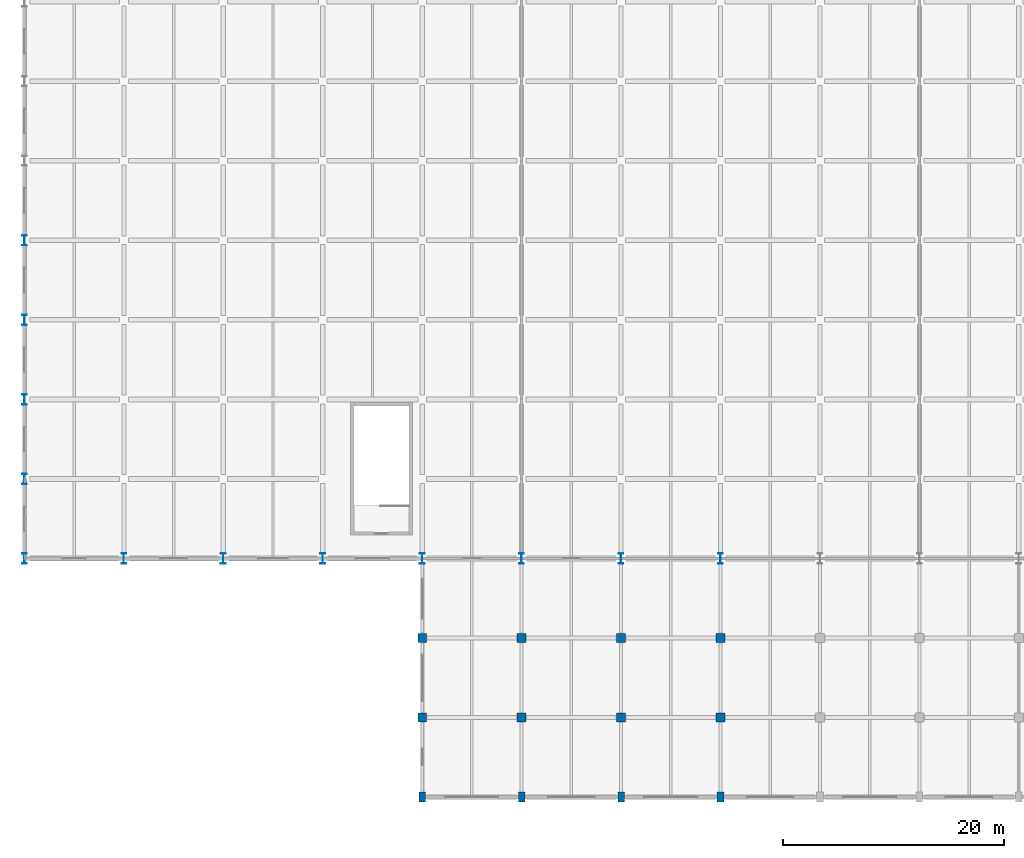
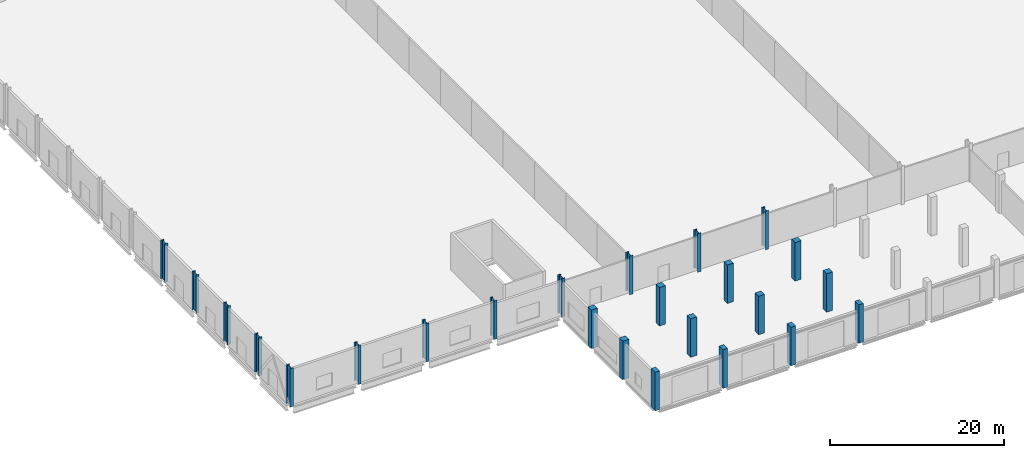
# One storey, part 1 of 137: 24 columns.
"""IFC4 building model written with IfcOpenShell, lengths in metres."""

from ifc_helpers import new_model, si_unit, direction, frame, origin, origin_2d, place, context, subcontext, project, spatial, rectangle, i_section, extrude, material, material_profile, profile_set, type_object, element, save


model = new_model("IFC4")

# Units and contexts
model_context = context("Model", 3, precision=1e-05, world=origin(), true_north=direction((0.0, 1.0)))
body_context = subcontext(model_context, "Body", "Model", "MODEL_VIEW")
ifc_project = project(units=[si_unit("LENGTHUNIT", "METRE"), si_unit("AREAUNIT", "SQUARE_METRE"), si_unit("VOLUMEUNIT", "CUBIC_METRE"), si_unit("PLANEANGLEUNIT", "RADIAN"), si_unit("MASSUNIT", "GRAM", prefix="KILO")], contexts=[model_context])

# Site, building, storey
site_placement = place(None, origin())
site = spatial("IfcSite", under=ifc_project, at=site_placement, CompositionType="ELEMENT")
building_placement = place(site_placement, origin())
building = spatial("IfcBuilding", under=site, at=building_placement, Name="Celestram Park Convention Centre", CompositionType="ELEMENT")
storey_placement = place(building_placement, origin())
storey = spatial("IfcBuildingStorey", under=building, at=storey_placement, Name="L00", CompositionType="ELEMENT", Elevation=0.0)

# Columns
ifc_material_1 = material(Name="Concrete C40/50", Category="concrete")
ifc_material_profile_1 = material_profile(ifc_material_1, rectangle(XDim=0.800048828125, YDim=0.800048828125, at=origin_2d()), Name="RC800X800")
ifc_profile_set_1 = profile_set([ifc_material_profile_1], Name="Concrete C40/50")
column_type_1 = type_object("IfcColumnType", Name="STR-COL-RC800", PredefinedType="COLUMN", material=ifc_profile_set_1)
for number, where, z_axis, x_axis, name in (
    (1, (36.0, 7.199951171875, 0.0), (0.0, 0.0, 1.0), (1.0, 0.0, 0.0), "Column CN-L00-041"),
    (2, (36.0, 14.39990234375, 0.0), (0.0, 0.0, 1.0), (1.0, 0.0, 0.0), "Column CN-L00-042"),
    (3, (45.0, 7.199951171875, 0.0), (0.0, 0.0, 1.0), (1.0, 0.0, 0.0), "Column CN-L00-054"),
    (4, (45.0, 14.39990234375, 0.0), (0.0, 0.0, 1.0), (1.0, 0.0, 0.0), "Column CN-L00-055"),
    (5, (54.0, 7.199951171875, 0.0), (0.0, 0.0, 1.0), (1.0, 0.0, 0.0), "Column CN-L00-067"),
    (6, (54.0, 14.39990234375, 0.0), (0.0, 0.0, 1.0), (1.0, 0.0, 0.0), "Column CN-L00-068"),
    (7, (63.0, 7.199951171875, 0.0), (0.0, 0.0, 1.0), (1.0, 0.0, 0.0), "Column CN-L00-080"),
    (8, (63.0, 14.39990234375, 0.0), (0.0, 0.0, 1.0), (1.0, 0.0, 0.0), "Column CN-L00-081"),
):
    element("IfcColumn", number, at=place(storey_placement, frame(where, z_axis=z_axis, x_axis=x_axis)), inside=storey, type_object=column_type_1, Name=name, PredefinedType="COLUMN", context=body_context, shape_type="SweptSolid", body=[
        extrude(rectangle(XDim=0.800048828125, YDim=0.800048828125, at=origin_2d()), origin(), (0.0, 0.0, 1.0), 5.39990234375),
    ])
ifc_material_profile_2 = material_profile(ifc_material_1, rectangle(XDim=0.60009765625, YDim=0.89990234375, at=origin_2d()), Name="RC900X600")
ifc_profile_set_2 = profile_set([ifc_material_profile_2], Name="Concrete C40/50")
column_type_2 = type_object("IfcColumnType", Name="STR-COL-RC900X600", PredefinedType="COLUMN", material=ifc_profile_set_2)
for number, where, z_axis, x_axis, name in (
    (9, (36.0, 0.0, 0.0), (0.0, 0.0, 1.0), (1.0, 0.0, 0.0), "Column CN-L00-040"),
    (10, (45.0, 0.0, 0.0), (0.0, 0.0, 1.0), (1.0, 0.0, 0.0), "Column CN-L00-053"),
    (11, (54.0, 0.0, 0.0), (0.0, 0.0, 1.0), (1.0, 0.0, 0.0), "Column CN-L00-066"),
    (12, (63.0, 0.0, 0.0), (0.0, 0.0, 1.0), (1.0, 0.0, 0.0), "Column CN-L00-079"),
):
    element("IfcColumn", number, at=place(storey_placement, frame(where, z_axis=z_axis, x_axis=x_axis)), inside=storey, type_object=column_type_2, Name=name, PredefinedType="COLUMN", context=body_context, shape_type="SweptSolid", body=[
        extrude(rectangle(XDim=0.60009765625, YDim=0.89990234375, at=origin_2d()), origin(), (0.0, 0.0, 1.0), 5.39990234375),
    ])
ifc_material_2 = material(Name="Steel ASTM A992 Grade 50", Category="steel")
ifc_material_profile_3 = material_profile(ifc_material_2, i_section(OverallWidth=0.424072265625, OverallDepth=0.931884765625, WebThickness=0.02392578125, FlangeThickness=0.042724609375, at=origin_2d()), Name="W36X302")
ifc_profile_set_3 = profile_set([ifc_material_profile_3], Name="Steel ASTM A992 Grade 50")
column_type_3 = type_object("IfcColumnType", Name="STR-COL-W36X302", PredefinedType="COLUMN", material=ifc_profile_set_3)
for number, where, z_axis, x_axis, name in (
    (13, (0.0, 21.60009765625, 0.0), (0.0, 0.0, 1.0), (1.0, 0.0, 0.0), "Column CN-L00-001"),
    (14, (0.0, 28.800048828125, 0.0), (0.0, 0.0, 1.0), (1.0, 0.0, 0.0), "Column CN-L00-002"),
    (15, (0.0, 36.0, 0.0), (0.0, 0.0, 1.0), (1.0, 0.0, 0.0), "Column CN-L00-003"),
    (16, (0.0, 43.199951171875, 0.0), (0.0, 0.0, 1.0), (1.0, 0.0, 0.0), "Column CN-L00-004"),
    (17, (0.0, 50.39990234375, 0.0), (0.0, 0.0, 1.0), (1.0, 0.0, 0.0), "Column CN-L00-005"),
    (18, (9.0, 21.60009765625, 0.0), (0.0, 0.0, 1.0), (1.0, 0.0, 0.0), "Column CN-L00-018"),
    (19, (18.0, 21.60009765625, 0.0), (0.0, 0.0, 1.0), (1.0, 0.0, 0.0), "Column CN-L00-024"),
    (20, (27.0, 21.60009765625, 0.0), (0.0, 0.0, 1.0), (1.0, 0.0, 0.0), "Column CN-L00-030"),
    (21, (36.0, 21.60009765625, 0.0), (0.0, 0.0, 1.0), (1.0, 0.0, 0.0), "Column CN-L00-043"),
    (22, (45.0, 21.60009765625, 0.0), (0.0, 0.0, 1.0), (1.0, 0.0, 0.0), "Column CN-L00-056"),
    (23, (54.0, 21.60009765625, 0.0), (0.0, 0.0, 1.0), (1.0, 0.0, 0.0), "Column CN-L00-069"),
    (24, (63.0, 21.60009765625, 0.0), (0.0, 0.0, 1.0), (1.0, 0.0, 0.0), "Column CN-L00-082"),
):
    element("IfcColumn", number, at=place(storey_placement, frame(where, z_axis=z_axis, x_axis=x_axis)), inside=storey, type_object=column_type_3, Name=name, PredefinedType="COLUMN", context=body_context, shape_type="SweptSolid", body=[
        extrude(i_section(OverallWidth=0.424072265625, OverallDepth=0.931884765625, WebThickness=0.02392578125, FlangeThickness=0.042724609375, at=origin_2d()), origin(), (0.0, 0.0, 1.0), 5.39990234375),
    ])

save(model, "model.ifc")
